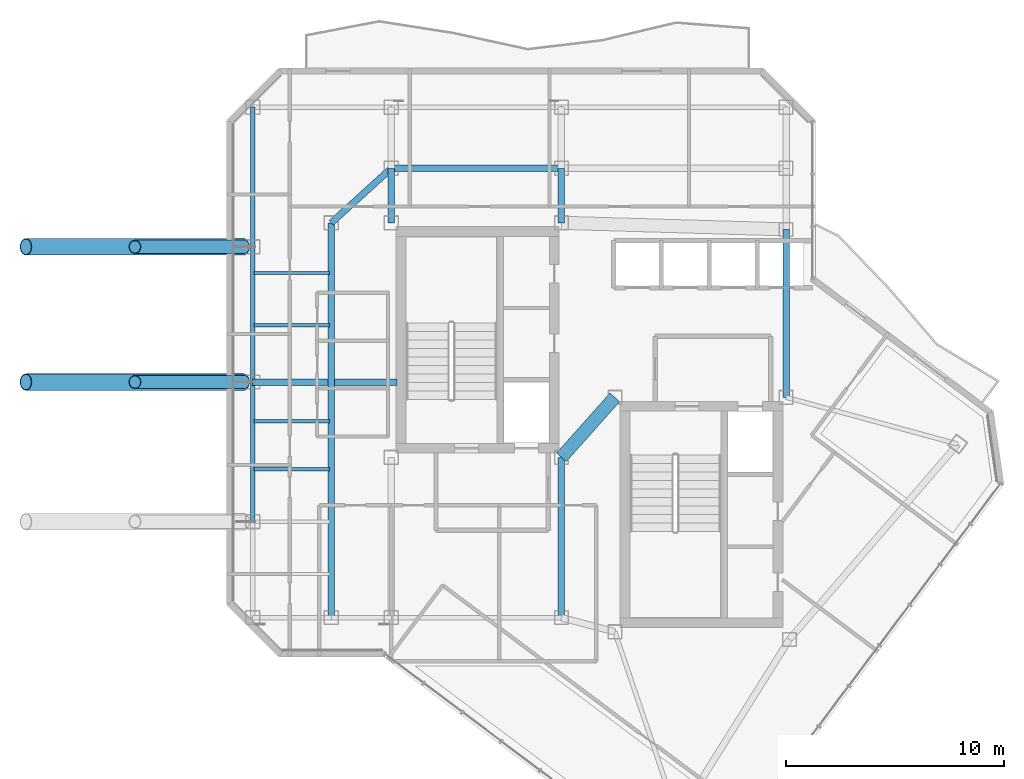
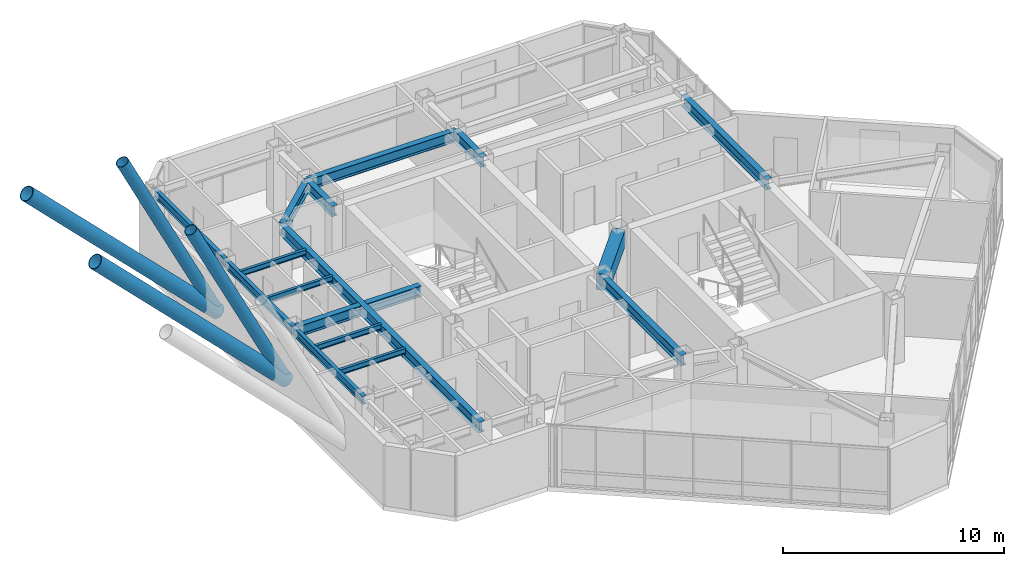
# One storey, part 7 of 21: 17 beams, 4 members.
"""IFC4 building model written with IfcOpenShell, lengths in metres."""

from ifc_helpers import new_model, si_unit, direction, frame, origin, origin_2d, place, context, subcontext, project, spatial, rectangle, hollow_circle, i_section, extrude, material, material_profile, profile_set, type_object, element, save


model = new_model("IFC4")

# Units and contexts
model_context = context("Model", 3, precision=1e-05, world=origin(), true_north=direction((0.0, 1.0)))
body_context = subcontext(model_context, "Body", "Model", "MODEL_VIEW")
ifc_project = project(units=[si_unit("LENGTHUNIT", "METRE"), si_unit("AREAUNIT", "SQUARE_METRE"), si_unit("VOLUMEUNIT", "CUBIC_METRE"), si_unit("PLANEANGLEUNIT", "RADIAN"), si_unit("MASSUNIT", "GRAM", prefix="KILO")], contexts=[model_context])

# Site, building, storey
site_placement = place(None, origin())
site = spatial("IfcSite", under=ifc_project, at=site_placement, CompositionType="ELEMENT")
building_placement = place(site_placement, origin())
building = spatial("IfcBuilding", under=site, at=building_placement, Name="Hatsunagi Terrace Concourse", CompositionType="ELEMENT")
storey_placement = place(building_placement, frame((0.0, 0.0, 246.75)))
storey = spatial("IfcBuildingStorey", under=building, at=storey_placement, Name="L65", CompositionType="ELEMENT", Elevation=246.75)

# Beams
ifc_material_1 = material(Name="Concrete Fc42", Category="concrete")
ifc_material_profile_1 = material_profile(ifc_material_1, rectangle(XDim=0.60009765625, YDim=0.89990234375, at=origin_2d()), Name="RC-600x900")
ifc_profile_set_1 = profile_set([ifc_material_profile_1], Name="Concrete Fc42")
beam_type_1 = type_object("IfcBeamType", Name="CoreCouplingBeam_RC_600x900", PredefinedType="BEAM", material=ifc_profile_set_1)
beam_1_placement = place(storey_placement, frame((33.35009765625, 32.550048828125, 2.89990234375), z_axis=(0.665198651008, 0.746666427997, 0.0), x_axis=(-0.746666427997, 0.665198651008, 0.0)))
element("IfcBeam", 1, at=beam_1_placement, inside=storey, type_object=beam_type_1, Name="Beam CB-03 CB-L65-1", PredefinedType="BEAM", context=body_context, shape_type="SweptSolid", body=[
    extrude(rectangle(XDim=0.60009765625, YDim=0.89990234375, at=origin_2d()), origin(), (0.0, 0.0, 1.0), 3.68310546875),
])
ifc_material_2 = material(Name="Steel SN490B", Category="steel")
ifc_material_profile_2 = material_profile(ifc_material_2, i_section(OverallWidth=0.300048828125, OverallDepth=0.587890625, WebThickness=0.011962890625, FlangeThickness=0.02001953125, FilletRadius=0.01806640625, at=origin_2d()), Name="H-588x300x12x20")
ifc_profile_set_2 = profile_set([ifc_material_profile_2], Name="Steel SN490B")
beam_type_2 = type_object("IfcBeamType", Name="OfficeHighGirder_H_588x300", PredefinedType="BEAM", material=ifc_profile_set_2)
beam_2_placement = place(storey_placement, frame((33.35009765625, 25.199951171875, 3.055908203125), z_axis=(0.0, 1.0, 0.0), x_axis=(-1.0, 0.0, 0.0)))
element("IfcBeam", 2, at=beam_2_placement, inside=storey, type_object=beam_type_2, Name="Beam G-06 BM-L65-K2CA", PredefinedType="BEAM", context=body_context, shape_type="SweptSolid", body=[
    extrude(i_section(OverallWidth=0.300048828125, OverallDepth=0.587890625, WebThickness=0.011962890625, FlangeThickness=0.02001953125, FilletRadius=0.01806640625, at=origin_2d()), origin(), (0.0, 0.0, 1.0), 7.35009765625),
])
beam_3_placement = place(storey_placement, frame((43.64990234375, 35.300048828125, 3.055908203125), z_axis=(0.0, 1.0, 0.0), x_axis=(-1.0, 0.0, 0.0)))
element("IfcBeam", 3, at=beam_3_placement, inside=storey, type_object=beam_type_2, Name="Beam G-06 BM-L65-CBK3", PredefinedType="BEAM", context=body_context, shape_type="SweptSolid", body=[
    extrude(i_section(OverallWidth=0.300048828125, OverallDepth=0.587890625, WebThickness=0.011962890625, FlangeThickness=0.02001953125, FilletRadius=0.01806640625, at=origin_2d()), origin(), (0.0, 0.0, 1.0), 7.699951171875),
])
for number, where, z_axis, x_axis, name in (
    (4, (25.550048828125, 43.300048828125, 3.055908203125), (0.0, 1.0, 0.0), (-1.0, 0.0, 0.0), "Beam G-06 BM-L65-CN1"),
    (5, (33.35009765625, 43.300048828125, 3.055908203125), (0.0, 1.0, 0.0), (-1.0, 0.0, 0.0), "Beam G-06 BM-L65-CN2"),
):
    element("IfcBeam", number, at=place(storey_placement, frame(where, z_axis=z_axis, x_axis=x_axis)), inside=storey, type_object=beam_type_2, Name=name, PredefinedType="BEAM", context=body_context, shape_type="SweptSolid", body=[
        extrude(i_section(OverallWidth=0.300048828125, OverallDepth=0.587890625, WebThickness=0.011962890625, FlangeThickness=0.02001953125, FilletRadius=0.01806640625, at=origin_2d()), origin(), (0.0, 0.0, 1.0), 2.5),
    ])
beam_4_placement = place(storey_placement, frame((25.550048828125, 45.800048828125, 3.055908203125), z_axis=(1.0, 0.0, 0.0), x_axis=(0.0, 1.0, 0.0)))
element("IfcBeam", 6, at=beam_4_placement, inside=storey, type_object=beam_type_2, Name="Beam G-06 BM-L65-CNEW1", PredefinedType="BEAM", context=body_context, shape_type="SweptSolid", body=[
    extrude(i_section(OverallWidth=0.300048828125, OverallDepth=0.587890625, WebThickness=0.011962890625, FlangeThickness=0.02001953125, FilletRadius=0.01806640625, at=origin_2d()), origin(), (0.0, 0.0, 1.0), 7.800048828125),
])
beam_5_placement = place(storey_placement, frame((22.800048828125, 25.199951171875, 3.055908203125), z_axis=(0.0, 1.0, 0.0), x_axis=(-1.0, 0.0, 0.0)))
element("IfcBeam", 7, at=beam_5_placement, inside=storey, type_object=beam_type_2, Name="Beam G-06 BM-L65-CWNS", PredefinedType="BEAM", context=body_context, shape_type="SweptSolid", body=[
    extrude(i_section(OverallWidth=0.300048828125, OverallDepth=0.587890625, WebThickness=0.011962890625, FlangeThickness=0.02001953125, FilletRadius=0.01806640625, at=origin_2d()), origin(), (0.0, 0.0, 1.0), 18.10009765625),
])
beam_6_placement = place(storey_placement, frame((22.800048828125, 43.300048828125, 3.055908203125), z_axis=(0.739940073396, 0.672672793996, 0.0), x_axis=(-0.672672793996, 0.739940073396, 0.0)))
element("IfcBeam", 8, at=beam_6_placement, inside=storey, type_object=beam_type_2, Name="Beam G-06 BM-L65-CWEW-N", PredefinedType="BEAM", context=body_context, shape_type="SweptSolid", body=[
    extrude(i_section(OverallWidth=0.300048828125, OverallDepth=0.587890625, WebThickness=0.011962890625, FlangeThickness=0.02001953125, FilletRadius=0.01806640625, at=origin_2d()), origin(), (0.0, 0.0, 1.0), 3.716552734375),
])
beam_7_placement = place(storey_placement, frame((19.199951171875, 36.0, 3.055908203125), z_axis=(1.0, 0.0, 0.0), x_axis=(0.0, 1.0, 0.0)))
element("IfcBeam", 9, at=beam_7_placement, inside=storey, type_object=beam_type_2, Name="Beam G-06 BM-L65-EW-3", PredefinedType="BEAM", context=body_context, shape_type="SweptSolid", body=[
    extrude(i_section(OverallWidth=0.300048828125, OverallDepth=0.587890625, WebThickness=0.011962890625, FlangeThickness=0.02001953125, FilletRadius=0.01806640625, at=origin_2d()), origin(), (0.0, 0.0, 1.0), 3.449951171875),
])
beam_8_placement = place(storey_placement, frame((22.949951171875, 36.0, 3.055908203125), z_axis=(1.0, 0.0, 0.0), x_axis=(0.0, 1.0, 0.0)))
element("IfcBeam", 10, at=beam_8_placement, inside=storey, type_object=beam_type_2, Name="Beam G-06 BM-L65-EW-4", PredefinedType="BEAM", context=body_context, shape_type="SweptSolid", body=[
    extrude(i_section(OverallWidth=0.300048828125, OverallDepth=0.587890625, WebThickness=0.011962890625, FlangeThickness=0.02001953125, FilletRadius=0.01806640625, at=origin_2d()), origin(), (0.0, 0.0, 1.0), 2.860107421875),
])
ifc_material_3 = material(Name="Steel SN490B", Category="steel")
ifc_material_profile_3 = material_profile(ifc_material_3, i_section(OverallWidth=0.14990234375, OverallDepth=0.300048828125, WebThickness=0.006591796875, FlangeThickness=0.009033203125, FilletRadius=0.010986328125, at=origin_2d()), Name="H-300x150x6.5x9")
ifc_profile_set_3 = profile_set([ifc_material_profile_3], Name="Steel SN490B")
beam_type_3 = type_object("IfcBeamType", Name="OfficeJoist_H_300x150", PredefinedType="JOIST", material=ifc_profile_set_3)
for number, where, z_axis, x_axis, name in (
    (11, (19.264892578125, 32.0, 3.199951171875), (1.0, 0.0, 0.0), (0.0, 1.0, 0.0), "Beam J-03 J-L65-W-19-320"),
    (12, (19.264892578125, 34.199951171875, 3.199951171875), (1.0, 0.0, 0.0), (0.0, 1.0, 0.0), "Beam J-03 J-L65-W-19-342"),
    (13, (19.264892578125, 38.60009765625, 3.199951171875), (1.0, 0.0, 0.0), (0.0, 1.0, 0.0), "Beam J-03 J-L65-W-19-386"),
    (14, (19.264892578125, 41.0, 3.199951171875), (1.0, 0.0, 0.0), (0.0, 1.0, 0.0), "Beam J-03 J-L65-W-19-410"),
):
    element("IfcBeam", number, at=place(storey_placement, frame(where, z_axis=z_axis, x_axis=x_axis)), inside=storey, type_object=beam_type_3, Name=name, PredefinedType="JOIST", context=body_context, shape_type="SweptSolid", body=[
        extrude(i_section(OverallWidth=0.14990234375, OverallDepth=0.300048828125, WebThickness=0.006591796875, FlangeThickness=0.009033203125, FilletRadius=0.010986328125, at=origin_2d()), origin(), (0.0, 0.0, 1.0), 3.4501953125),
    ])
ifc_material_4 = material(Name="Steel SN490B", Category="steel")
ifc_material_profile_4 = material_profile(ifc_material_4, i_section(OverallWidth=0.199951171875, OverallDepth=0.449951171875, WebThickness=0.009033203125, FlangeThickness=0.013916015625, FilletRadius=0.01611328125, at=origin_2d()), Name="H-450x200x9x14")
ifc_profile_set_4 = profile_set([ifc_material_profile_4], Name="Steel SN490B")
beam_type_4 = type_object("IfcBeamType", Name="PerimeterSpandrel_H_450x200", PredefinedType="SPANDREL", material=ifc_profile_set_4)
beam_9_placement = place(storey_placement, frame((19.199951171875, 29.60009765625, 3.125), z_axis=(0.0, 1.0, 0.0), x_axis=(-1.0, 0.0, 0.0)))
element("IfcBeam", 15, at=beam_9_placement, inside=storey, type_object=beam_type_4, Name="Beam SP-02 BM-L65-NS-19-29", PredefinedType="SPANDREL", context=body_context, shape_type="SweptSolid", body=[
    extrude(i_section(OverallWidth=0.199951171875, OverallDepth=0.449951171875, WebThickness=0.009033203125, FlangeThickness=0.013916015625, FilletRadius=0.01611328125, at=origin_2d()), origin(), (0.0, 0.0, 1.0), 6.39990234375),
])
beam_10_placement = place(storey_placement, frame((19.199951171875, 36.0, 3.125), z_axis=(0.0, 1.0, 0.0), x_axis=(-1.0, 0.0, 0.0)))
element("IfcBeam", 16, at=beam_10_placement, inside=storey, type_object=beam_type_4, Name="Beam SP-02 BM-L65-NS-19-36", PredefinedType="SPANDREL", context=body_context, shape_type="SweptSolid", body=[
    extrude(i_section(OverallWidth=0.199951171875, OverallDepth=0.449951171875, WebThickness=0.009033203125, FlangeThickness=0.013916015625, FilletRadius=0.01611328125, at=origin_2d()), origin(), (0.0, 0.0, 1.0), 6.199951171875),
])
beam_11_placement = place(storey_placement, frame((19.199951171875, 42.199951171875, 3.125), z_axis=(0.0, 1.0, 0.0), x_axis=(-1.0, 0.0, 0.0)))
element("IfcBeam", 17, at=beam_11_placement, inside=storey, type_object=beam_type_4, Name="Beam SP-02 BM-L65-NS-19-42", PredefinedType="SPANDREL", context=body_context, shape_type="SweptSolid", body=[
    extrude(i_section(OverallWidth=0.199951171875, OverallDepth=0.449951171875, WebThickness=0.009033203125, FlangeThickness=0.013916015625, FilletRadius=0.01611328125, at=origin_2d()), origin(), (0.0, 0.0, 1.0), 6.400146484375),
])

# Members
ifc_material_5 = material(Name="Steel SN490B", Category="steel")
ifc_material_profile_5 = material_profile(ifc_material_5, hollow_circle(Radius=0.3046875, WallThickness=0.02490234375, at=origin_2d()), Name="CHS-609.6x25")
ifc_profile_set_5 = profile_set([ifc_material_profile_5], Name="Steel SN490B")
member_type_1 = type_object("IfcMemberType", Name="SkyLoungeMidRaker_CHS_609x25", PredefinedType="STRUT", material=ifc_profile_set_5)
for number, where, z_axis, x_axis, name in (
    (18, (18.780029296875, 36.0, 0.550048828125), (-0.4457793938, 0.0, 0.895142855674), (0.0, -1.0, 0.0), "Sky Lounge Mid Raking Strut SLS-02 #2"),
    (19, (18.780029296875, 42.199951171875, 0.550048828125), (-0.4457793938, 0.0, 0.895142855674), (0.0, -1.0, 0.0), "Sky Lounge Mid Raking Strut SLS-02 #3"),
):
    element("IfcMember", number, at=place(storey_placement, frame(where, z_axis=z_axis, x_axis=x_axis)), inside=storey, type_object=member_type_1, Name=name, PredefinedType="STRUT", context=body_context, shape_type="SweptSolid", body=[
        extrude(hollow_circle(Radius=0.3046875, WallThickness=0.02490234375, at=origin_2d()), origin(), (0.0, 0.0, 1.0), 11.17138671875),
    ])
ifc_material_6 = material(Name="Steel SN490C", Category="steel")
ifc_material_profile_6 = material_profile(ifc_material_6, hollow_circle(Radius=0.381103515625, WallThickness=0.031982421875, at=origin_2d()), Name="CHS-762x32")
ifc_profile_set_6 = profile_set([ifc_material_profile_6], Name="Steel SN490C")
member_type_2 = type_object("IfcMemberType", Name="SkyLoungeOuterRaker_CHS_762x32", PredefinedType="STRUT", material=ifc_profile_set_6)
for number, where, z_axis, x_axis, name in (
    (20, (18.780029296875, 36.0, 0.550048828125), (-0.706397920074, 0.0, 0.70781493239), (0.0, -1.0, 0.0), "Sky Lounge Outer Raking Strut SLS-01 #2"),
    (21, (18.780029296875, 42.199951171875, 0.550048828125), (-0.706397920074, 0.0, 0.70781493239), (0.0, -1.0, 0.0), "Sky Lounge Outer Raking Strut SLS-01 #3"),
):
    element("IfcMember", number, at=place(storey_placement, frame(where, z_axis=z_axis, x_axis=x_axis)), inside=storey, type_object=member_type_2, Name=name, PredefinedType="STRUT", context=body_context, shape_type="SweptSolid", body=[
        extrude(hollow_circle(Radius=0.381103515625, WallThickness=0.031982421875, at=origin_2d()), origin(), (0.0, 0.0, 1.0), 14.1279296875),
    ])

save(model, "model.ifc")
